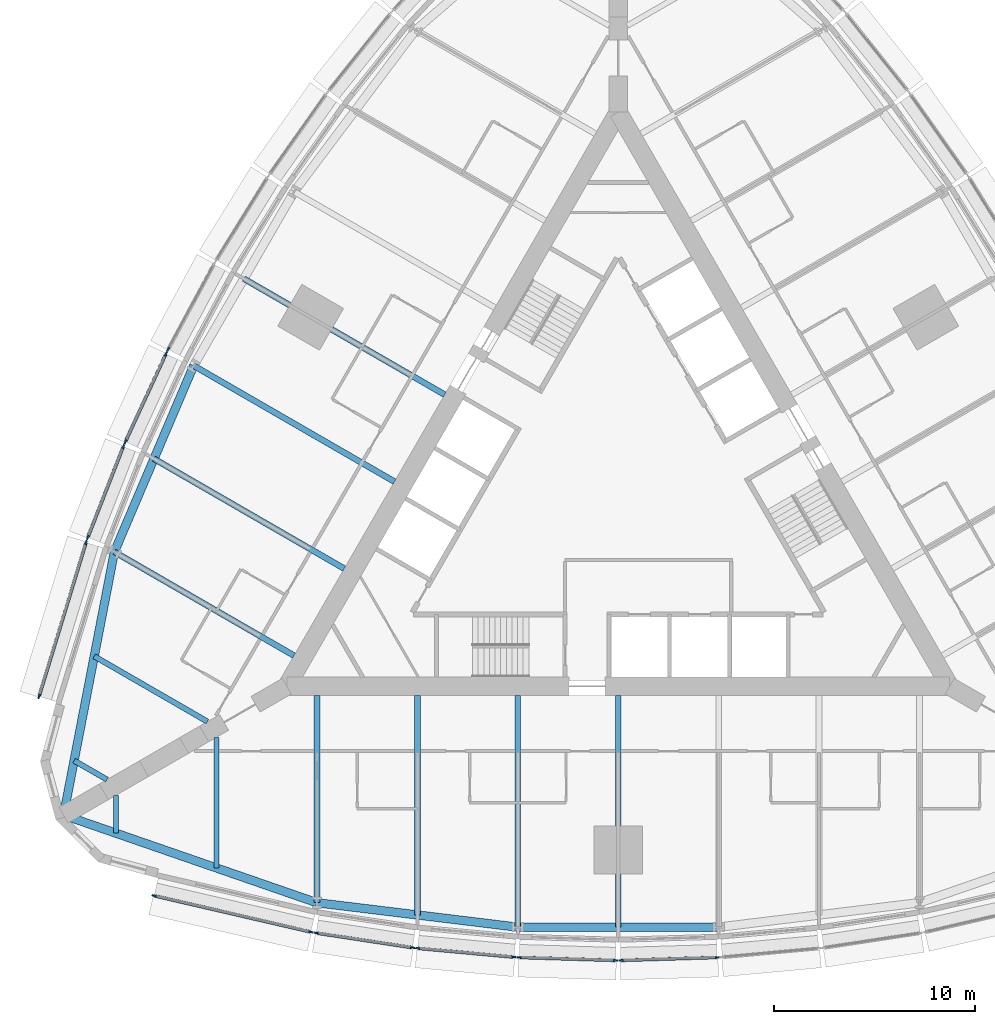
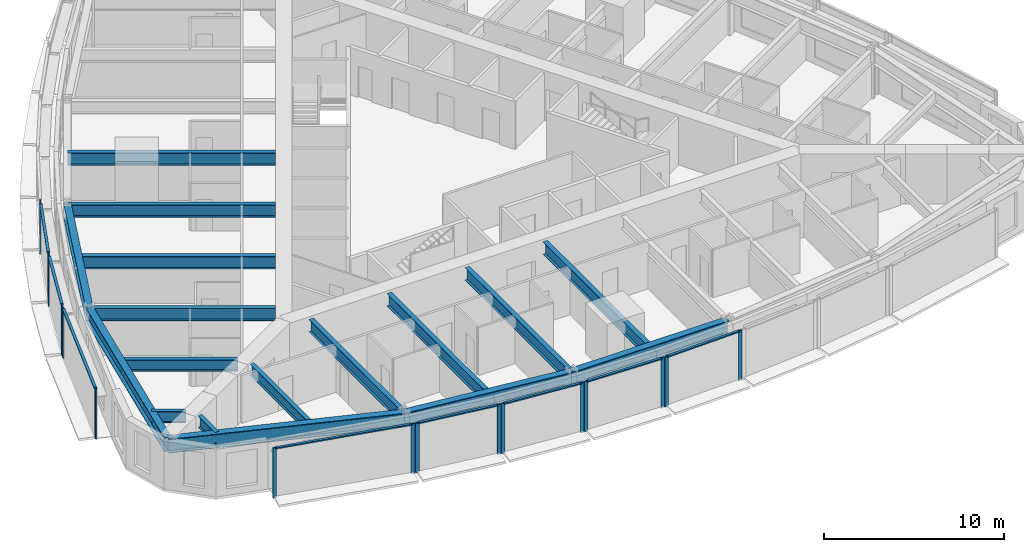
# One storey, part 2 of 14: 25 members, 17 beams, 9 elements without a shape of their own.
"""IFC4 building model written with IfcOpenShell, lengths in metres."""

import ifcopenshell
import ifcopenshell.guid

model = None  # the IFC model being written
_history = None  # IfcOwnerHistory: only IFC2X3 demands one
_inside = {}  # id of a spatial element -> (the spatial element, [elements in it])
_under = {}  # id of a project, library or spatial element -> (it, [spatial elements below it])
_declared = {}  # id of a project -> (the project, [libraries it declares])
_typed = {}  # id of a type object -> (the type object, [elements of that type])
_made_of = {}  # id of a material, layer set ... -> (it, [elements and type objects made of it])


def new_model(schema):
    """Start an empty IFC model of exactly this schema.

    Asked for "IFC4X3", IfcOpenShell would pick the latest addendum, in which some entities
    have other attributes; the version numbers below select the first issue.
    IFC2X3 requires an IfcOwnerHistory on every rooted entity: one is made here for all.
    """
    global model, _history
    if schema == "IFC4X3":
        model = ifcopenshell.file(schema_version=(4, 3, 0, 0))
    else:
        model = ifcopenshell.file(schema=schema)
    _inside.clear()
    _under.clear()
    _declared.clear()
    _typed.clear()
    _made_of.clear()
    _history = None
    if model.schema == "IFC2X3":
        org = make("IfcOrganization", Name="unknown")
        user = make(
            "IfcPersonAndOrganization",
            ThePerson=make("IfcPerson", FamilyName="unknown"),
            TheOrganization=org,
        )
        app = make(
            "IfcApplication",
            ApplicationDeveloper=org,
            Version="unknown",
            ApplicationFullName="unknown",
            ApplicationIdentifier="unknown",
        )
        _history = make(
            "IfcOwnerHistory",
            OwningUser=user,
            OwningApplication=app,
            ChangeAction="ADDED",
            CreationDate=0,
        )
    return model


def make(cls, **values):
    """One entity of the class cls with the attributes given. An attribute that is None is left unset."""
    return model.create_entity(
        cls, **{name: value for name, value in values.items() if value is not None}
    )


def rooted(cls, **values):
    """An entity with a GlobalId (a new one), such as an element, a storey or a relation."""
    return make(cls, GlobalId=ifcopenshell.guid.new(), OwnerHistory=_history, **values)


def si_unit(unit_type, name, prefix=None):
    """IfcSIUnit, for example si_unit("LENGTHUNIT", "METRE", prefix="MILLI")."""
    return make("IfcSIUnit", UnitType=unit_type, Prefix=prefix, Name=name)


def assignment(units):
    """IfcUnitAssignment: the units of a project."""
    return None if units is None else make("IfcUnitAssignment", Units=units)


def point(xyz):
    """IfcCartesianPoint."""
    return None if xyz is None else make("IfcCartesianPoint", Coordinates=xyz)


def direction(xyz):
    """IfcDirection."""
    return None if xyz is None else make("IfcDirection", DirectionRatios=xyz)


def frame(location, z_axis=None, x_axis=None):
    """IfcAxis2Placement3D, a coordinate frame: its origin and axes. An axis left out is left unset."""
    return make(
        "IfcAxis2Placement3D",
        Location=point(location),
        Axis=direction(z_axis),
        RefDirection=direction(x_axis),
    )


def frame_2d(location, x_axis=None):
    """IfcAxis2Placement2D, a coordinate frame in the plane: its origin and x axis."""
    return make(
        "IfcAxis2Placement2D", Location=point(location), RefDirection=direction(x_axis)
    )


def origin():
    """The frame at (0, 0, 0) with its axes left unset."""
    return frame((0.0, 0.0, 0.0))


def origin_2d():
    """The frame at (0, 0) in the plane with its x axis left unset."""
    return frame_2d((0.0, 0.0))


def place(relative_to, where):
    """IfcLocalPlacement: puts the frame where relative to a parent placement (None: the world)."""
    return make(
        "IfcLocalPlacement", PlacementRelTo=relative_to, RelativePlacement=where
    )


def context(
    kind, dimensions, precision=None, world=None, true_north=None, identifier=None
):
    """IfcGeometricRepresentationContext, for example the 3D "Model" context."""
    return make(
        "IfcGeometricRepresentationContext",
        ContextIdentifier=identifier,
        ContextType=kind,
        CoordinateSpaceDimension=dimensions,
        Precision=precision,
        WorldCoordinateSystem=world,
        TrueNorth=true_north,
    )


def subcontext(parent, identifier, kind, view, scale=None):
    """IfcGeometricRepresentationSubContext, for example "Body" below "Model"."""
    return make(
        "IfcGeometricRepresentationSubContext",
        ContextIdentifier=identifier,
        ContextType=kind,
        ParentContext=parent,
        TargetScale=scale,
        TargetView=view,
    )


def project(units=None, contexts=None):
    """IfcProject with its units and contexts."""
    return rooted(
        "IfcProject",
        Name="project",
        RepresentationContexts=contexts,
        UnitsInContext=assignment(units),
    )


def spatial(cls, under=None, at=None, **own):
    """A site, building, storey or space (cls), placed at a placement, below another one or the project."""
    s = rooted(cls, ObjectPlacement=at, **own)
    if under is not None:
        _under.setdefault(under.id(), (under, []))[1].append(s)
    return s


def profile(cls, at=None, kind="AREA", **sizes):
    """A parametric profile (cls). Its sizes go by their IFC names, for example OverallWidth=200.0."""
    return make(cls, ProfileType=kind, Position=at, **sizes)


def rectangle(**sizes):
    """IfcRectangleProfileDef."""
    return profile("IfcRectangleProfileDef", **sizes)


def i_section(**sizes):
    """IfcIShapeProfileDef."""
    return profile("IfcIShapeProfileDef", **sizes)


def extrude(swept, where, along, depth):
    """IfcExtrudedAreaSolid: the profile swept, set in the frame where, extruded along a direction by depth."""
    return make(
        "IfcExtrudedAreaSolid",
        SweptArea=swept,
        Position=where,
        ExtrudedDirection=direction(along),
        Depth=depth,
    )


def shape(context_of_items, identifier, shape_type, items):
    """IfcShapeRepresentation: the items that make up one representation, for example the "Body"."""
    return make(
        "IfcShapeRepresentation",
        ContextOfItems=context_of_items,
        RepresentationIdentifier=identifier,
        RepresentationType=shape_type,
        Items=items,
    )


def material(Name=None, Category=None):
    """IfcMaterial."""
    return make("IfcMaterial", Name=Name, Category=Category)


def material_profile(
    of_material, cross_section, Name=None, Category=None, Priority=None
):
    """IfcMaterialProfile: a cross section and its material."""
    return make(
        "IfcMaterialProfile",
        Name=Name,
        Material=of_material,
        Profile=cross_section,
        Priority=Priority,
        Category=Category,
    )


def profile_set(profiles, Name=None, composite=None):
    """IfcMaterialProfileSet."""
    return make(
        "IfcMaterialProfileSet",
        Name=Name,
        MaterialProfiles=profiles,
        CompositeProfile=composite,
    )


def made_of(thing, what):
    """Note that an element or type object is made of a material, layer set ...; save() writes the relation."""
    if what is not None:
        _made_of.setdefault(what.id(), (what, []))[1].append(thing)
    return thing


def type_object(cls, material=None, **own):
    """A type object (cls), such as IfcWallType, which elements share."""
    return made_of(rooted(cls, **own), material)


def element(
    cls,
    number,
    at=None,
    inside=None,
    cuts=None,
    type_object=None,
    material=None,
    context=None,
    identifier="Body",
    shape_type=None,
    held_by="IfcProductDefinitionShape",
    body=None,
    shapes=None,
    **own,
):
    """One element of the class cls, such as IfcWall. Its Tag is "e" and its number.

    at: its placement. inside: the storey or other place that contains it. cuts: it is an
    opening in that element (IfcRelVoidsElement). A single representation is given by context,
    identifier, shape_type and body (its items); several are given by shapes. held_by: the class
    of the entity that holds the representations. save() writes the other relations.
    """
    e = rooted(cls, Tag="e%d" % number, ObjectPlacement=at, **own)
    if body is not None:
        shapes = [shape(context, identifier, shape_type, body)]
    if shapes is not None:
        e.Representation = make(held_by, Representations=shapes)
    if inside is not None:
        _inside.setdefault(inside.id(), (inside, []))[1].append(e)
    if cuts is not None:
        rooted(
            "IfcRelVoidsElement", RelatingBuildingElement=cuts, RelatedOpeningElement=e
        )
    if type_object is not None:
        _typed.setdefault(type_object.id(), (type_object, []))[1].append(e)
    return made_of(e, material)


def aggregate(whole, parts):
    """IfcRelAggregates: a whole, such as a stair, and the parts it consists of."""
    return rooted("IfcRelAggregates", RelatingObject=whole, RelatedObjects=parts)


def save(model, path):
    """Write the relations noted so far, then the file.

    IfcRelAggregates (storeys below a building ...), IfcRelContainedInSpatialStructure (elements
    in a storey), IfcRelDefinesByType, IfcRelAssociatesMaterial and IfcRelDeclares: one each for
    every whole, place, type object, material and project.
    """
    for whole, parts in _under.values():
        aggregate(whole, parts)
    for where, things in _inside.values():
        rooted(
            "IfcRelContainedInSpatialStructure",
            RelatedElements=things,
            RelatingStructure=where,
        )
    for kind, things in _typed.values():
        rooted("IfcRelDefinesByType", RelatedObjects=things, RelatingType=kind)
    for what, things in _made_of.values():
        rooted("IfcRelAssociatesMaterial", RelatedObjects=things, RelatingMaterial=what)
    for by, libraries in _declared.values():
        rooted("IfcRelDeclares", RelatingContext=by, RelatedDefinitions=libraries)
    model.write(path)


model = new_model("IFC4")

# Units and contexts
model_context = context("Model", 3, precision=1e-05, world=origin(), true_north=direction((0.0, 1.0)))
body_context = subcontext(model_context, "Body", "Model", "MODEL_VIEW")
ifc_project = project(units=[si_unit("LENGTHUNIT", "METRE"), si_unit("AREAUNIT", "SQUARE_METRE"), si_unit("VOLUMEUNIT", "CUBIC_METRE"), si_unit("PLANEANGLEUNIT", "RADIAN"), si_unit("MASSUNIT", "GRAM", prefix="KILO")], contexts=[model_context])

# Site, building, storey
site_placement = place(None, origin())
site = spatial("IfcSite", under=ifc_project, at=site_placement, CompositionType="ELEMENT")
building_placement = place(site_placement, origin())
building = spatial("IfcBuilding", under=site, at=building_placement, Name="Trikona Tower", CompositionType="ELEMENT")
storey_placement = place(building_placement, frame((0.0, 0.0, 35.300048828125)))
storey = spatial("IfcBuildingStorey", under=building, at=storey_placement, Name="L07", CompositionType="ELEMENT", Elevation=35.300048828125)

# Curtain wall, members
ifc_material_1 = material(Name="Aluminium curtain wall system", Category="aluminium")
curtain_wall_type = type_object("IfcCurtainWallType", Name="Curtain wall DS1", PredefinedType="NOTDEFINED", material=ifc_material_1)
curtain_wall_1_placement = place(storey_placement, origin())
curtain_wall_1 = element("IfcCurtainWall", 1, at=curtain_wall_1_placement, inside=storey, type_object=curtain_wall_type, Name="Curtain wall DS1 L07", PredefinedType="NOTDEFINED")
ifc_material_2 = material(Name="Aluminium mullion, pale anodised", Category="aluminium")
ifc_material_profile_1 = material_profile(ifc_material_2, rectangle(XDim=0.080078125, YDim=0.219970703125, at=origin_2d()), Name="MUL-DS1")
ifc_profile_set_1 = profile_set([ifc_material_profile_1], Name="Aluminium mullion, pale anodised")
member_type_1 = type_object("IfcMemberType", Name="Mullion DS1 80x220", PredefinedType="MULLION", material=ifc_profile_set_1)
member_1_placement = place(storey_placement, frame((-23.10546875, -19.951904296875, 0.0), z_axis=(0.0, 0.0, 1.0), x_axis=(0.225343288756, 0.974279427173, 0.0)))
member_1 = element("IfcMember", 2, at=member_1_placement, type_object=member_type_1, Name="CW-DS1 mullion 1", PredefinedType="MULLION", context=body_context, shape_type="SweptSolid", body=[
    extrude(rectangle(XDim=0.080078125, YDim=0.219970703125, at=origin_2d()), origin(), (0.0, 0.0, 1.0), 3.39990234375),
])
member_2_placement = place(storey_placement, frame((-15.30029296875, -21.75732421875, 0.0), z_axis=(0.0, 0.0, 1.0), x_axis=(0.225343288756, 0.974279427173, 0.0)))
member_2 = element("IfcMember", 3, at=member_2_placement, type_object=member_type_1, Name="CW-DS1 mullion 2", PredefinedType="MULLION", context=body_context, shape_type="SweptSolid", body=[
    extrude(rectangle(XDim=0.080078125, YDim=0.219970703125, at=origin_2d()), origin(), (0.0, 0.0, 1.0), 3.39990234375),
])

curtain_wall_2_placement = place(storey_placement, origin())
curtain_wall_2 = element("IfcCurtainWall", 4, at=curtain_wall_2_placement, inside=storey, type_object=curtain_wall_type, Name="Curtain wall DS1 L07", PredefinedType="NOTDEFINED")
member_3_placement = place(storey_placement, frame((-15.03662109375, -21.807861328125, 0.0), z_axis=(0.0, 0.0, 1.0), x_axis=(0.150437693845, 0.988619492156, 0.0)))
member_3 = element("IfcMember", 5, at=member_3_placement, type_object=member_type_1, Name="CW-DS1 mullion 1", PredefinedType="MULLION", context=body_context, shape_type="SweptSolid", body=[
    extrude(rectangle(XDim=0.080078125, YDim=0.219970703125, at=origin_2d()), origin(), (0.0, 0.0, 1.0), 3.39990234375),
])
member_4_placement = place(storey_placement, frame((-10.234130859375, -22.53857421875, 0.0), z_axis=(0.0, 0.0, 1.0), x_axis=(0.150437693845, 0.988619492156, 0.0)))
member_4 = element("IfcMember", 6, at=member_4_placement, type_object=member_type_1, Name="CW-DS1 mullion 2", PredefinedType="MULLION", context=body_context, shape_type="SweptSolid", body=[
    extrude(rectangle(XDim=0.080078125, YDim=0.219970703125, at=origin_2d()), origin(), (0.0, 0.0, 1.0), 3.39990234375),
])

curtain_wall_3_placement = place(storey_placement, origin())
curtain_wall_3 = element("IfcCurtainWall", 7, at=curtain_wall_3_placement, inside=storey, type_object=curtain_wall_type, Name="Curtain wall DS1 L07", PredefinedType="NOTDEFINED")
member_5_placement = place(storey_placement, frame((-9.982177734375, -22.5693359375, 0.0), z_axis=(0.0, 0.0, 1.0), x_axis=(0.090923932737, 0.995857840485, 0.0)))
member_5 = element("IfcMember", 8, at=member_5_placement, type_object=member_type_1, Name="CW-DS1 mullion 1", PredefinedType="MULLION", context=body_context, shape_type="SweptSolid", body=[
    extrude(rectangle(XDim=0.080078125, YDim=0.219970703125, at=origin_2d()), origin(), (0.0, 0.0, 1.0), 3.39990234375),
])
member_6_placement = place(storey_placement, frame((-5.181396484375, -23.007568359375, 0.0), z_axis=(0.0, 0.0, 1.0), x_axis=(0.090923932737, 0.995857840485, 0.0)))
member_6 = element("IfcMember", 9, at=member_6_placement, type_object=member_type_1, Name="CW-DS1 mullion 2", PredefinedType="MULLION", context=body_context, shape_type="SweptSolid", body=[
    extrude(rectangle(XDim=0.080078125, YDim=0.219970703125, at=origin_2d()), origin(), (0.0, 0.0, 1.0), 3.39990234375),
])

curtain_wall_4_placement = place(storey_placement, origin())
curtain_wall_4 = element("IfcCurtainWall", 10, at=curtain_wall_4_placement, inside=storey, type_object=curtain_wall_type, Name="Curtain wall DS1 L07", PredefinedType="NOTDEFINED")
member_7_placement = place(storey_placement, frame((-4.927490234375, -23.02294921875, 0.0), z_axis=(0.0, 0.0, 1.0), x_axis=(0.030436711692, 0.999536695965, 0.0)))
member_7 = element("IfcMember", 11, at=member_7_placement, type_object=member_type_1, Name="CW-DS1 mullion 1", PredefinedType="MULLION", context=body_context, shape_type="SweptSolid", body=[
    extrude(rectangle(XDim=0.080078125, YDim=0.219970703125, at=origin_2d()), origin(), (0.0, 0.0, 1.0), 3.39990234375),
])
member_8_placement = place(storey_placement, frame((-0.12744140625, -23.169189453125, 0.0), z_axis=(0.0, 0.0, 1.0), x_axis=(0.030436711692, 0.999536695965, 0.0)))
member_8 = element("IfcMember", 12, at=member_8_placement, type_object=member_type_1, Name="CW-DS1 mullion 2", PredefinedType="MULLION", context=body_context, shape_type="SweptSolid", body=[
    extrude(rectangle(XDim=0.080078125, YDim=0.219970703125, at=origin_2d()), origin(), (0.0, 0.0, 1.0), 3.39990234375),
])

curtain_wall_5_placement = place(storey_placement, origin())
curtain_wall_5 = element("IfcCurtainWall", 13, at=curtain_wall_5_placement, inside=storey, type_object=curtain_wall_type, Name="Curtain wall DS1 L07", PredefinedType="NOTDEFINED")
member_9_placement = place(storey_placement, frame((0.12744140625, -23.169189453125, 0.0), z_axis=(0.0, 0.0, 1.0), x_axis=(-0.030436711692, 0.999536695965, 0.0)))
member_9 = element("IfcMember", 14, at=member_9_placement, type_object=member_type_1, Name="CW-DS1 mullion 1", PredefinedType="MULLION", context=body_context, shape_type="SweptSolid", body=[
    extrude(rectangle(XDim=0.080078125, YDim=0.219970703125, at=origin_2d()), origin(), (0.0, 0.0, 1.0), 3.39990234375),
])
member_10_placement = place(storey_placement, frame((4.927490234375, -23.02294921875, 0.0), z_axis=(0.0, 0.0, 1.0), x_axis=(-0.030436711692, 0.999536695965, 0.0)))
member_10 = element("IfcMember", 15, at=member_10_placement, type_object=member_type_1, Name="CW-DS1 mullion 2", PredefinedType="MULLION", context=body_context, shape_type="SweptSolid", body=[
    extrude(rectangle(XDim=0.080078125, YDim=0.219970703125, at=origin_2d()), origin(), (0.0, 0.0, 1.0), 3.39990234375),
])

# Curtain wall, member
curtain_wall_6_placement = place(storey_placement, origin())
curtain_wall_6 = element("IfcCurtainWall", 16, at=curtain_wall_6_placement, inside=storey, type_object=curtain_wall_type, Name="Curtain wall DS1 L07", PredefinedType="NOTDEFINED")
member_11_placement = place(storey_placement, frame((-22.402099609375, 7.244140625, 0.0), z_axis=(0.0, 0.0, 1.0), x_axis=(0.880843080975, -0.473408350896, 0.0)))
member_11 = element("IfcMember", 17, at=member_11_placement, type_object=member_type_1, Name="CW-DS1 mullion 2", PredefinedType="MULLION", context=body_context, shape_type="SweptSolid", body=[
    extrude(rectangle(XDim=0.080078125, YDim=0.219970703125, at=origin_2d()), origin(), (0.0, 0.0, 1.0), 3.39990234375),
])
aggregate(curtain_wall_6, [member_11])

# Curtain wall, members
curtain_wall_7_placement = place(storey_placement, origin())
curtain_wall_7 = element("IfcCurtainWall", 18, at=curtain_wall_7_placement, inside=storey, type_object=curtain_wall_type, Name="Curtain wall DS1 L07", PredefinedType="NOTDEFINED")
member_12_placement = place(storey_placement, frame((-22.515869140625, 7.0166015625, 0.0), z_axis=(0.0, 0.0, 1.0), x_axis=(0.907898459992, -0.419190155352, 0.0)))
member_12 = element("IfcMember", 19, at=member_12_placement, type_object=member_type_1, Name="CW-DS1 mullion 1", PredefinedType="MULLION", context=body_context, shape_type="SweptSolid", body=[
    extrude(rectangle(XDim=0.080078125, YDim=0.219970703125, at=origin_2d()), origin(), (0.0, 0.0, 1.0), 3.39990234375),
])
member_13_placement = place(storey_placement, frame((-24.53662109375, 2.6396484375, 0.0), z_axis=(0.0, 0.0, 1.0), x_axis=(0.907898459992, -0.419190155352, 0.0)))
member_13 = element("IfcMember", 20, at=member_13_placement, type_object=member_type_1, Name="CW-DS1 mullion 2", PredefinedType="MULLION", context=body_context, shape_type="SweptSolid", body=[
    extrude(rectangle(XDim=0.080078125, YDim=0.219970703125, at=origin_2d()), origin(), (0.0, 0.0, 1.0), 3.39990234375),
])

curtain_wall_8_placement = place(storey_placement, origin())
curtain_wall_8 = element("IfcCurtainWall", 21, at=curtain_wall_8_placement, inside=storey, type_object=curtain_wall_type, Name="Curtain wall DS1 L07", PredefinedType="NOTDEFINED")
member_14_placement = place(storey_placement, frame((-24.63623046875, 2.40625, 0.0), z_axis=(0.0, 0.0, 1.0), x_axis=(0.931395989443, -0.36400756977, 0.0)))
member_14 = element("IfcMember", 22, at=member_14_placement, type_object=member_type_1, Name="CW-DS1 mullion 1", PredefinedType="MULLION", context=body_context, shape_type="SweptSolid", body=[
    extrude(rectangle(XDim=0.080078125, YDim=0.219970703125, at=origin_2d()), origin(), (0.0, 0.0, 1.0), 3.39990234375),
])
member_15_placement = place(storey_placement, frame((-26.404296875, -2.1181640625, 0.0), z_axis=(0.0, 0.0, 1.0), x_axis=(0.931395989443, -0.36400756977, 0.0)))
member_15 = element("IfcMember", 23, at=member_15_placement, type_object=member_type_1, Name="CW-DS1 mullion 2", PredefinedType="MULLION", context=body_context, shape_type="SweptSolid", body=[
    extrude(rectangle(XDim=0.080078125, YDim=0.219970703125, at=origin_2d()), origin(), (0.0, 0.0, 1.0), 3.39990234375),
])

curtain_wall_9_placement = place(storey_placement, origin())
curtain_wall_9 = element("IfcCurtainWall", 24, at=curtain_wall_9_placement, inside=storey, type_object=curtain_wall_type, Name="Curtain wall DS1 L07", PredefinedType="NOTDEFINED")
member_16_placement = place(storey_placement, frame((-26.492431640625, -2.371826171875, 0.0), z_axis=(0.0, 0.0, 1.0), x_axis=(0.956423115383, -0.291984287868, 0.0)))
member_16 = element("IfcMember", 25, at=member_16_placement, type_object=member_type_1, Name="CW-DS1 mullion 1", PredefinedType="MULLION", context=body_context, shape_type="SweptSolid", body=[
    extrude(rectangle(XDim=0.080078125, YDim=0.219970703125, at=origin_2d()), origin(), (0.0, 0.0, 1.0), 3.39990234375),
])
member_17_placement = place(storey_placement, frame((-28.83154296875, -10.033935546875, 0.0), z_axis=(0.0, 0.0, 1.0), x_axis=(0.956423115383, -0.291984287868, 0.0)))
member_17 = element("IfcMember", 26, at=member_17_placement, type_object=member_type_1, Name="CW-DS1 mullion 2", PredefinedType="MULLION", context=body_context, shape_type="SweptSolid", body=[
    extrude(rectangle(XDim=0.080078125, YDim=0.219970703125, at=origin_2d()), origin(), (0.0, 0.0, 1.0), 3.39990234375),
])

# Beams
ifc_material_3 = material(Name="Steel ASTM A992 Grade 50", Category="steel")
ifc_material_profile_2 = material_profile(ifc_material_3, i_section(OverallWidth=0.2666015625, OverallDepth=0.76953125, WebThickness=0.015625, FlangeThickness=0.025390625, at=origin_2d()), Name="W30X132")
ifc_profile_set_2 = profile_set([ifc_material_profile_2], Name="Steel ASTM A992 Grade 50")
beam_type_1 = type_object("IfcBeamType", Name="Steel beam W30x132 (wedge)", PredefinedType="BEAM", material=ifc_profile_set_2)
beam_1_placement = place(storey_placement, frame((-25.0, -14.953369140625, 2.85009765625), z_axis=(0.0, -1.0, 0.0), x_axis=(1.0, 0.0, 0.0)))
element("IfcBeam", 27, at=beam_1_placement, inside=storey, type_object=beam_type_1, Name="Floor beam L08 F1 u-25", PredefinedType="BEAM", context=body_context, shape_type="SweptSolid", body=[
    extrude(i_section(OverallWidth=0.2666015625, OverallDepth=0.76953125, WebThickness=0.015625, FlangeThickness=0.025390625, at=origin_2d()), origin(), (0.0, 0.0, 1.0), 1.890380859375),
])
for number, where, z_axis, x_axis, name in (
    (28, (-20.0, -12.066650390625, 2.85009765625), (0.0, -1.0, 0.0), (1.0, 0.0, 0.0), "Floor beam L08 F1 u-20"),
    (29, (-20.449951171875, -11.287109375, 2.85009765625), (-0.866022504693, 0.50000502134, 0.0), (-0.50000502134, -0.866022504693, 0.0), "Floor beam L08 F3 u20"),
):
    element("IfcBeam", number, at=place(storey_placement, frame(where, z_axis=z_axis, x_axis=x_axis)), inside=storey, type_object=beam_type_1, Name=name, PredefinedType="BEAM", context=body_context, shape_type="SweptSolid", body=[
        extrude(i_section(OverallWidth=0.2666015625, OverallDepth=0.76953125, WebThickness=0.015625, FlangeThickness=0.025390625, at=origin_2d()), origin(), (0.0, 0.0, 1.0), 6.5068359375),
    ])
beam_2_placement = place(storey_placement, frame((-25.449951171875, -14.173828125, 2.85009765625), z_axis=(-0.866065156741, 0.499931139538, 0.0), x_axis=(-0.499931139538, -0.866065156741, 0.0)))
element("IfcBeam", 30, at=beam_2_placement, inside=storey, type_object=beam_type_1, Name="Floor beam L08 F3 u25", PredefinedType="BEAM", context=body_context, shape_type="SweptSolid", body=[
    extrude(i_section(OverallWidth=0.2666015625, OverallDepth=0.76953125, WebThickness=0.015625, FlangeThickness=0.025390625, at=origin_2d()), origin(), (0.0, 0.0, 1.0), 1.890380859375),
])
ifc_material_4 = material(Name="Steel ASTM A992 Grade 50", Category="steel")
ifc_material_profile_3 = material_profile(ifc_material_4, i_section(OverallWidth=0.2919921875, OverallDepth=0.845703125, WebThickness=0.015380859375, FlangeThickness=0.0244140625, at=origin_2d()), Name="W33X141")
ifc_profile_set_3 = profile_set([ifc_material_profile_3], Name="Steel ASTM A992 Grade 50")
beam_type_2 = type_object("IfcBeamType", Name="Steel beam W33x141 (radial typ)", PredefinedType="BEAM", material=ifc_profile_set_3)
beam_3_placement = place(storey_placement, frame((-15.0, -9.976318359375, 2.81201171875), z_axis=(0.0, -1.0, 0.0), x_axis=(1.0, 0.0, 0.0)))
element("IfcBeam", 31, at=beam_3_placement, inside=storey, type_object=beam_type_2, Name="Floor beam L08 F1 u-15", PredefinedType="BEAM", context=body_context, shape_type="SweptSolid", body=[
    extrude(i_section(OverallWidth=0.2919921875, OverallDepth=0.845703125, WebThickness=0.015380859375, FlangeThickness=0.0244140625, at=origin_2d()), origin(), (0.0, 0.0, 1.0), 10.32666015625),
])
beam_4_placement = place(storey_placement, frame((-10.0, -9.976318359375, 2.81201171875), z_axis=(0.0, -1.0, 0.0), x_axis=(1.0, 0.0, 0.0)))
element("IfcBeam", 32, at=beam_4_placement, inside=storey, type_object=beam_type_2, Name="Floor beam L08 F1 u-10", PredefinedType="BEAM", context=body_context, shape_type="SweptSolid", body=[
    extrude(i_section(OverallWidth=0.2919921875, OverallDepth=0.845703125, WebThickness=0.015380859375, FlangeThickness=0.0244140625, at=origin_2d()), origin(), (0.0, 0.0, 1.0), 10.935302734375),
])
for number, where, z_axis, x_axis, name in (
    (33, (-5.0, -9.976318359375, 2.81201171875), (0.0, -1.0, 0.0), (1.0, 0.0, 0.0), "Floor beam L08 F1 u-5"),
    (34, (0.0, -9.976318359375, 2.81201171875), (0.0, -1.0, 0.0), (1.0, 0.0, 0.0), "Floor beam L08 F1 u0"),
    (35, (-8.6396484375, 4.988037109375, 2.81201171875), (-0.866020765707, 0.500008033299, 0.0), (-0.500008033299, -0.866020765707, 0.0), "Floor beam L08 F3 u0"),
    (36, (-11.1396484375, 0.657958984375, 2.81201171875), (-0.866020765707, 0.500008033299, 0.0), (-0.500008033299, -0.866020765707, 0.0), "Floor beam L08 F3 u5"),
):
    element("IfcBeam", number, at=place(storey_placement, frame(where, z_axis=z_axis, x_axis=x_axis)), inside=storey, type_object=beam_type_2, Name=name, PredefinedType="BEAM", context=body_context, shape_type="SweptSolid", body=[
        extrude(i_section(OverallWidth=0.2919921875, OverallDepth=0.845703125, WebThickness=0.015380859375, FlangeThickness=0.0244140625, at=origin_2d()), origin(), (0.0, 0.0, 1.0), 11.544189453125),
    ])
beam_5_placement = place(storey_placement, frame((-13.6396484375, -3.672119140625, 2.81201171875), z_axis=(-0.866025348605, 0.500000095573, 0.0), x_axis=(-0.500000095573, -0.866025348605, 0.0)))
element("IfcBeam", 37, at=beam_5_placement, inside=storey, type_object=beam_type_2, Name="Floor beam L08 F3 u10", PredefinedType="BEAM", context=body_context, shape_type="SweptSolid", body=[
    extrude(i_section(OverallWidth=0.2919921875, OverallDepth=0.845703125, WebThickness=0.015380859375, FlangeThickness=0.0244140625, at=origin_2d()), origin(), (0.0, 0.0, 1.0), 10.935546875),
])
beam_6_placement = place(storey_placement, frame((-16.1396484375, -8.002197265625, 2.81201171875), z_axis=(-0.866030471684, 0.499991222037, 0.0), x_axis=(-0.499991222037, -0.866030471684, 0.0)))
element("IfcBeam", 38, at=beam_6_placement, inside=storey, type_object=beam_type_2, Name="Floor beam L08 F3 u15", PredefinedType="BEAM", context=body_context, shape_type="SweptSolid", body=[
    extrude(i_section(OverallWidth=0.2919921875, OverallDepth=0.845703125, WebThickness=0.015380859375, FlangeThickness=0.0244140625, at=origin_2d()), origin(), (0.0, 0.0, 1.0), 10.326904296875),
])
ifc_material_5 = material(Name="Steel ASTM A992 Grade 50", Category="steel")
ifc_material_profile_4 = material_profile(ifc_material_5, i_section(OverallWidth=0.424072265625, OverallDepth=0.947509765625, WebThickness=0.02392578125, FlangeThickness=0.042724609375, at=origin_2d()), Name="W36X302")
ifc_profile_set_4 = profile_set([ifc_material_profile_4], Name="Steel ASTM A992 Grade 50")
beam_type_3 = type_object("IfcBeamType", Name="Steel beam W36x302 (spandrel)", PredefinedType="SPANDREL", material=ifc_profile_set_4)
beam_7_placement = place(storey_placement, frame((-27.6103515625, -15.94091796875, 2.76123046875), z_axis=(0.945056965739, -0.326905692071, 0.0), x_axis=(0.326905692071, 0.945056965739, 0.0)))
element("IfcBeam", 39, at=beam_7_placement, inside=storey, type_object=beam_type_3, Name="Spandrel beam L08 F1-1", PredefinedType="SPANDREL", context=body_context, shape_type="SweptSolid", body=[
    extrude(i_section(OverallWidth=0.424072265625, OverallDepth=0.947509765625, WebThickness=0.02392578125, FlangeThickness=0.042724609375, at=origin_2d()), origin(), (0.0, 0.0, 1.0), 13.343505859375),
])
beam_8_placement = place(storey_placement, frame((-15.0, -20.302978515625, 2.76123046875), z_axis=(0.99266951126, -0.120860421207, 0.0), x_axis=(0.120860421207, 0.99266951126, 0.0)))
element("IfcBeam", 40, at=beam_8_placement, inside=storey, type_object=beam_type_3, Name="Spandrel beam L08 F1-2", PredefinedType="SPANDREL", context=body_context, shape_type="SweptSolid", body=[
    extrude(i_section(OverallWidth=0.424072265625, OverallDepth=0.947509765625, WebThickness=0.02392578125, FlangeThickness=0.042724609375, at=origin_2d()), origin(), (0.0, 0.0, 1.0), 10.07373046875),
])
beam_9_placement = place(storey_placement, frame((-5.0, -21.5205078125, 2.76123046875), z_axis=(1.0, 0.0, 0.0), x_axis=(0.0, 1.0, 0.0)))
element("IfcBeam", 41, at=beam_9_placement, inside=storey, type_object=beam_type_3, Name="Spandrel beam L08 F1-3", PredefinedType="SPANDREL", context=body_context, shape_type="SweptSolid", body=[
    extrude(i_section(OverallWidth=0.424072265625, OverallDepth=0.947509765625, WebThickness=0.02392578125, FlangeThickness=0.042724609375, at=origin_2d()), origin(), (0.0, 0.0, 1.0), 10.0),
])
beam_10_placement = place(storey_placement, frame((-21.13720703125, 6.43017578125, 2.76123046875), z_axis=(-0.391683514847, -0.920100007715, 0.0), x_axis=(0.920100007715, -0.391683514847, 0.0)))
element("IfcBeam", 42, at=beam_10_placement, inside=storey, type_object=beam_type_3, Name="Spandrel beam L08 F3-4", PredefinedType="SPANDREL", context=body_context, shape_type="SweptSolid", body=[
    extrude(i_section(OverallWidth=0.424072265625, OverallDepth=0.947509765625, WebThickness=0.02392578125, FlangeThickness=0.042724609375, at=origin_2d()), origin(), (0.0, 0.0, 1.0), 10.073974609375),
])
beam_11_placement = place(storey_placement, frame((-25.0830078125, -2.8388671875, 2.76123046875), z_axis=(-0.189405184036, -0.981899015307, 0.0), x_axis=(0.981899015307, -0.189405184036, 0.0)))
element("IfcBeam", 43, at=beam_11_placement, inside=storey, type_object=beam_type_3, Name="Spandrel beam L08 F3-5", PredefinedType="SPANDREL", context=body_context, shape_type="SweptSolid", body=[
    extrude(i_section(OverallWidth=0.424072265625, OverallDepth=0.947509765625, WebThickness=0.02392578125, FlangeThickness=0.042724609375, at=origin_2d()), origin(), (0.0, 0.0, 1.0), 13.343505859375),
])

# Member
ifc_material_6 = material(Name="Aluminium transom, pale anodised", Category="aluminium")
ifc_material_profile_5 = material_profile(ifc_material_6, rectangle(XDim=0.159912109375, YDim=0.080078125, at=origin_2d()), Name="TRN-DS1")
ifc_profile_set_5 = profile_set([ifc_material_profile_5], Name="Aluminium transom, pale anodised")
member_type_2 = type_object("IfcMemberType", Name="Transom DS1 80x160", PredefinedType="USERDEFINED", material=ifc_profile_set_5)
member_18_placement = place(storey_placement, frame((-23.06640625, -19.9609375, 3.35986328125), z_axis=(0.974275371842, -0.225360821398, 0.0), x_axis=(0.225360821398, 0.974275371842, 0.0)))
member_18 = element("IfcMember", 44, at=member_18_placement, type_object=member_type_2, Name="CW-DS1 transom 1.1", ObjectType="TRANSOM", PredefinedType="USERDEFINED", context=body_context, shape_type="SweptSolid", body=[
    extrude(rectangle(XDim=0.159912109375, YDim=0.080078125, at=origin_2d()), origin(), (0.0, 0.0, 1.0), 7.93115234375),
])

aggregate(curtain_wall_1, [member_1, member_2, member_18])

member_19_placement = place(storey_placement, frame((-14.9970703125, -21.813720703125, 3.35986328125), z_axis=(0.988619663412, -0.150436568413, 0.0), x_axis=(0.150436568413, 0.988619663412, 0.0)))
member_19 = element("IfcMember", 45, at=member_19_placement, type_object=member_type_2, Name="CW-DS1 transom 1.1", ObjectType="TRANSOM", PredefinedType="USERDEFINED", context=body_context, shape_type="SweptSolid", body=[
    extrude(rectangle(XDim=0.159912109375, YDim=0.080078125, at=origin_2d()), origin(), (0.0, 0.0, 1.0), 4.77783203125),
])

aggregate(curtain_wall_2, [member_3, member_4, member_19])

member_20_placement = place(storey_placement, frame((-9.9423828125, -22.57275390625, 3.35986328125), z_axis=(0.995855977008, -0.090944340438, 0.0), x_axis=(0.090944340438, 0.995855977008, 0.0)))
member_20 = element("IfcMember", 46, at=member_20_placement, type_object=member_type_2, Name="CW-DS1 transom 1.1", ObjectType="TRANSOM", PredefinedType="USERDEFINED", context=body_context, shape_type="SweptSolid", body=[
    extrude(rectangle(XDim=0.159912109375, YDim=0.080078125, at=origin_2d()), origin(), (0.0, 0.0, 1.0), 4.74072265625),
])

aggregate(curtain_wall_3, [member_5, member_6, member_20])

member_21_placement = place(storey_placement, frame((-4.887451171875, -23.024169921875, 3.35986328125), z_axis=(0.999536232946, -0.030451913371, 0.0), x_axis=(0.030451913371, 0.999536232946, 0.0)))
member_21 = element("IfcMember", 47, at=member_21_placement, type_object=member_type_2, Name="CW-DS1 transom 1.1", ObjectType="TRANSOM", PredefinedType="USERDEFINED", context=body_context, shape_type="SweptSolid", body=[
    extrude(rectangle(XDim=0.159912109375, YDim=0.080078125, at=origin_2d()), origin(), (0.0, 0.0, 1.0), 4.72216796875),
])

aggregate(curtain_wall_4, [member_7, member_8, member_21])

member_22_placement = place(storey_placement, frame((0.16748046875, -23.16796875, 3.35986328125), z_axis=(0.999536232946, 0.030451913371, 0.0), x_axis=(-0.030451913371, 0.999536232946, 0.0)))
member_22 = element("IfcMember", 48, at=member_22_placement, type_object=member_type_2, Name="CW-DS1 transom 1.1", ObjectType="TRANSOM", PredefinedType="USERDEFINED", context=body_context, shape_type="SweptSolid", body=[
    extrude(rectangle(XDim=0.159912109375, YDim=0.080078125, at=origin_2d()), origin(), (0.0, 0.0, 1.0), 4.72216796875),
])

aggregate(curtain_wall_5, [member_9, member_10, member_22])

member_23_placement = place(storey_placement, frame((-22.53271484375, 6.980224609375, 3.35986328125), z_axis=(-0.419188800665, -0.90789908547, 0.0), x_axis=(0.90789908547, -0.419188800665, 0.0)))
member_23 = element("IfcMember", 49, at=member_23_placement, type_object=member_type_2, Name="CW-DS1 transom 1.1", ObjectType="TRANSOM", PredefinedType="USERDEFINED", context=body_context, shape_type="SweptSolid", body=[
    extrude(rectangle(XDim=0.159912109375, YDim=0.080078125, at=origin_2d()), origin(), (0.0, 0.0, 1.0), 4.74072265625),
])

aggregate(curtain_wall_7, [member_12, member_13, member_23])

member_24_placement = place(storey_placement, frame((-24.650634765625, 2.368896484375, 3.35986328125), z_axis=(-0.364048647668, -0.931379934362, 0.0), x_axis=(0.931379934362, -0.364048647668, 0.0)))
member_24 = element("IfcMember", 50, at=member_24_placement, type_object=member_type_2, Name="CW-DS1 transom 1.1", ObjectType="TRANSOM", PredefinedType="USERDEFINED", context=body_context, shape_type="SweptSolid", body=[
    extrude(rectangle(XDim=0.159912109375, YDim=0.080078125, at=origin_2d()), origin(), (0.0, 0.0, 1.0), 4.777587890625),
])

aggregate(curtain_wall_8, [member_14, member_15, member_24])

member_25_placement = place(storey_placement, frame((-26.504150390625, -2.409912109375, 3.35986328125), z_axis=(-0.291967490203, -0.956428243343, 0.0), x_axis=(0.956428243343, -0.291967490203, 0.0)))
member_25 = element("IfcMember", 51, at=member_25_placement, type_object=member_type_2, Name="CW-DS1 transom 1.1", ObjectType="TRANSOM", PredefinedType="USERDEFINED", context=body_context, shape_type="SweptSolid", body=[
    extrude(rectangle(XDim=0.159912109375, YDim=0.080078125, at=origin_2d()), origin(), (0.0, 0.0, 1.0), 7.93115234375),
])

aggregate(curtain_wall_9, [member_16, member_17, member_25])

save(model, "model.ifc")
